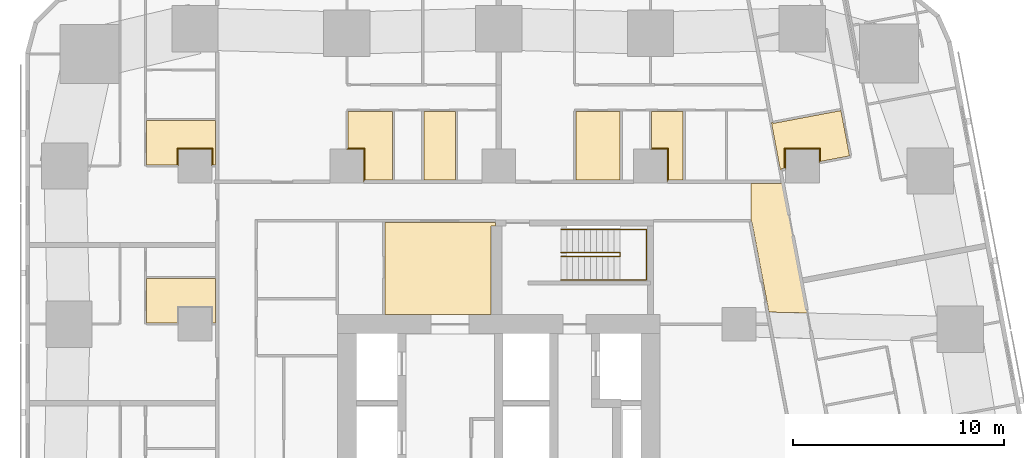
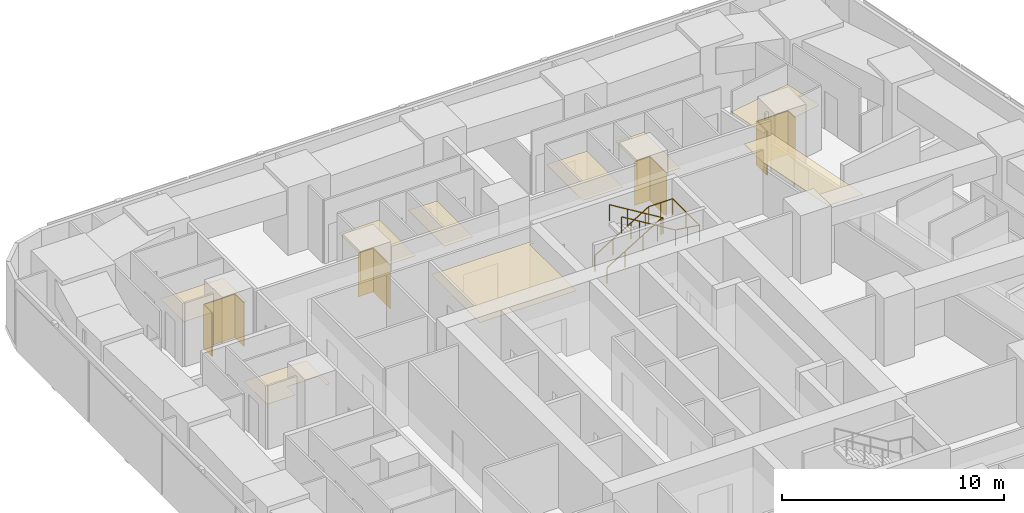
# One storey, part 15 of 15: 13 coverings, 2 railings.
"""IFC4 building model written with IfcOpenShell, lengths in metres."""

from ifc_helpers import new_model, si_unit, direction, frame, origin, origin_2d, place, context, subcontext, project, spatial, polyline, circle, outline, extrude, material, layer, layer_set, type_object, element, save


model = new_model("IFC4")

# Units and contexts
model_context = context("Model", 3, precision=1e-05, world=origin(), true_north=direction((0.0, 1.0)))
body_context = subcontext(model_context, "Body", "Model", "MODEL_VIEW")
ifc_project = project(units=[si_unit("LENGTHUNIT", "METRE"), si_unit("AREAUNIT", "SQUARE_METRE"), si_unit("VOLUMEUNIT", "CUBIC_METRE"), si_unit("PLANEANGLEUNIT", "RADIAN"), si_unit("MASSUNIT", "GRAM", prefix="KILO")], contexts=[model_context])

# Site, building, storey
site_placement = place(None, origin())
site = spatial("IfcSite", under=ifc_project, at=site_placement, CompositionType="ELEMENT")
building_placement = place(site_placement, origin())
building = spatial("IfcBuilding", under=site, at=building_placement, Name="Sheger Commons Tower", CompositionType="ELEMENT")
storey_placement = place(building_placement, frame((0.0, 0.0, 107.89990234375)))
storey = spatial("IfcBuildingStorey", under=building, at=storey_placement, Name="L27", CompositionType="ELEMENT", Elevation=107.89990234375)

# Railings
ifc_material_1 = material(Name="Steel handrail, black powder-coated", Category="steel")
railing_type = type_object("IfcRailingType", Name="HANDRAIL 900", PredefinedType="HANDRAIL", material=ifc_material_1)
railing_1_placement = place(storey_placement, frame((24.550048828125, 33.39990234375, 0.170654296875)))
element("IfcRailing", 1, at=railing_1_placement, inside=storey, type_object=railing_type, Name="Stair S2 handrail L27", PredefinedType="HANDRAIL", context=body_context, shape_type="SweptSolid", body=[
    extrude(circle(Radius=0.02392578125, at=origin_2d()), frame((0.0, 0.0, 0.8759765625), z_axis=(0.854202870247, 0.0, 0.519939858505), x_axis=(0.0, 1.0, 0.0)), (0.0, 0.0, 1.0), 3.278076171875),
    extrude(circle(Radius=0.02392578125, at=origin_2d()), frame((2.800048828125, 0.0, 2.580078125), z_axis=(0.0, -0.760631612298, 0.649183757016), x_axis=(1.0, 0.0, 0.0)), (0.0, 0.0, 1.0), 0.262939453125),
    extrude(circle(Radius=0.02392578125, at=origin_2d()), frame((2.800048828125, -0.199951171875, 2.7509765625), z_axis=(-0.854202870247, 0.0, 0.519939858505), x_axis=(0.0, -1.0, 0.0)), (0.0, 0.0, 1.0), 3.278076171875),
    extrude(circle(Radius=0.02099609375, at=origin_2d()), origin(), (0.0, 0.0, 1.0), 0.851806640625),
    extrude(circle(Radius=0.02099609375, at=origin_2d()), frame((0.933349609375, 0.0, 0.568115234375)), (0.0, 0.0, 1.0), 0.851806640625),
    extrude(circle(Radius=0.02099609375, at=origin_2d()), frame((1.86669921875, 0.0, 1.13623046875)), (0.0, 0.0, 1.0), 0.851806640625),
    extrude(circle(Radius=0.02099609375, at=origin_2d()), frame((2.800048828125, 0.0, 1.704345703125)), (0.0, 0.0, 1.0), 0.851806640625),
    extrude(circle(Radius=0.02099609375, at=origin_2d()), frame((2.800048828125, -0.199951171875, 1.875)), (0.0, 0.0, 1.0), 0.851806640625),
    extrude(circle(Radius=0.02099609375, at=origin_2d()), frame((1.86669921875, -0.199951171875, 2.443115234375)), (0.0, 0.0, 1.0), 0.851806640625),
    extrude(circle(Radius=0.02099609375, at=origin_2d()), frame((0.933349609375, -0.199951171875, 3.01123046875)), (0.0, 0.0, 1.0), 0.851806640625),
    extrude(circle(Radius=0.02099609375, at=origin_2d()), frame((0.0, -0.199951171875, 3.579345703125)), (0.0, 0.0, 1.0), 0.851806640625),
])
railing_2_placement = place(storey_placement, frame((24.550048828125, 34.5, 0.170654296875)))
element("IfcRailing", 2, at=railing_2_placement, inside=storey, type_object=railing_type, Name="Stair S2 handrail L27", PredefinedType="HANDRAIL", context=body_context, shape_type="SweptSolid", body=[
    extrude(circle(Radius=0.02392578125, at=origin_2d()), frame((0.0, 0.0, 0.8759765625), z_axis=(0.854202870247, 0.0, 0.519939858505), x_axis=(0.0, 1.0, 0.0)), (0.0, 0.0, 1.0), 3.278076171875),
    extrude(circle(Radius=0.02392578125, at=origin_2d()), frame((2.800048828125, 0.0, 2.580078125), z_axis=(1.0, 0.0, 0.0), x_axis=(0.0, 1.0, 0.0)), (0.0, 0.0, 1.0), 1.25),
    extrude(circle(Radius=0.02392578125, at=origin_2d()), frame((4.050048828125, 0.0, 2.580078125), z_axis=(0.0, -1.0, 0.0), x_axis=(1.0, 0.0, 0.0)), (0.0, 0.0, 1.0), 2.39990234375),
    extrude(circle(Radius=0.02392578125, at=origin_2d()), frame((4.050048828125, -2.39990234375, 2.580078125), z_axis=(-0.990808959222, 0.0, 0.135268645019), x_axis=(0.0, -1.0, 0.0)), (0.0, 0.0, 1.0), 1.261474609375),
    extrude(circle(Radius=0.02392578125, at=origin_2d()), frame((2.800048828125, -2.39990234375, 2.7509765625), z_axis=(-0.854202870247, 0.0, 0.519939858505), x_axis=(0.0, -1.0, 0.0)), (0.0, 0.0, 1.0), 3.278076171875),
    extrude(circle(Radius=0.02099609375, at=origin_2d()), origin(), (0.0, 0.0, 1.0), 0.851806640625),
    extrude(circle(Radius=0.02099609375, at=origin_2d()), frame((0.933349609375, 0.0, 0.568115234375)), (0.0, 0.0, 1.0), 0.851806640625),
    extrude(circle(Radius=0.02099609375, at=origin_2d()), frame((1.86669921875, 0.0, 1.13623046875)), (0.0, 0.0, 1.0), 0.851806640625),
    extrude(circle(Radius=0.02099609375, at=origin_2d()), frame((2.800048828125, 0.0, 1.704345703125)), (0.0, 0.0, 1.0), 0.851806640625),
    extrude(circle(Radius=0.02099609375, at=origin_2d()), frame((3.425048828125, 0.0, 1.704345703125)), (0.0, 0.0, 1.0), 0.851806640625),
    extrude(circle(Radius=0.02099609375, at=origin_2d()), frame((4.050048828125, 0.0, 1.704345703125)), (0.0, 0.0, 1.0), 0.851806640625),
    extrude(circle(Radius=0.02099609375, at=origin_2d()), frame((4.050048828125, -1.199951171875, 1.704345703125)), (0.0, 0.0, 1.0), 0.851806640625),
    extrude(circle(Radius=0.02099609375, at=origin_2d()), frame((4.050048828125, -2.39990234375, 1.704345703125)), (0.0, 0.0, 1.0), 0.851806640625),
    extrude(circle(Radius=0.02099609375, at=origin_2d()), frame((3.425048828125, -2.39990234375, 1.78955078125)), (0.0, 0.0, 1.0), 0.851806640625),
    extrude(circle(Radius=0.02099609375, at=origin_2d()), frame((2.800048828125, -2.39990234375, 1.875)), (0.0, 0.0, 1.0), 0.851806640625),
    extrude(circle(Radius=0.02099609375, at=origin_2d()), frame((1.86669921875, -2.39990234375, 2.443115234375)), (0.0, 0.0, 1.0), 0.851806640625),
    extrude(circle(Radius=0.02099609375, at=origin_2d()), frame((0.933349609375, -2.39990234375, 3.01123046875)), (0.0, 0.0, 1.0), 0.851806640625),
    extrude(circle(Radius=0.02099609375, at=origin_2d()), frame((0.0, -2.39990234375, 3.579345703125)), (0.0, 0.0, 1.0), 0.851806640625),
])

# Coverings
ifc_material_2 = material(Name="Moisture-resistant gypsum plasterboard 15 mm on a suspended galvanised steel grid", Category="steel")
ifc_layer_1 = layer(ifc_material_2, 0.014892578125)
ifc_layer_set_1 = layer_set([ifc_layer_1], Name="MOISTURE-RESISTANT CEILING 15")
covering_type_1 = type_object("IfcCoveringType", Name="MOISTURE-RESISTANT CEILING 15", PredefinedType="CEILING", material=ifc_layer_set_1)
covering_1_placement = place(storey_placement, frame((0.0, 0.0, 2.400146484375)))
element("IfcCovering", 3, at=covering_1_placement, inside=storey, type_object=covering_type_1, Name="L27-03.B1 ceiling", PredefinedType="CEILING", context=body_context, shape_type="SweptSolid", body=[
    extrude(outline(polyline([(4.905029296875, 30.054931640625), (6.39501953125, 30.054931640625), (6.39501953125, 30.804931640625), (8.0048828125, 30.804931640625), (8.0048828125, 30.054931640625), (8.169921875, 30.054931640625), (8.169921875, 32.155029296875), (4.905029296875, 32.155029296875), (4.905029296875, 30.054931640625)])), origin(), (0.0, 0.0, 1.0), 0.014892578125),
])
covering_2_placement = place(storey_placement, frame((0.0, 0.0, 2.400146484375)))
element("IfcCovering", 4, at=covering_2_placement, inside=storey, type_object=covering_type_1, Name="L27-04.B1 ceiling", PredefinedType="CEILING", context=body_context, shape_type="SweptSolid", body=[
    extrude(outline(polyline([(4.905029296875, 37.554931640625), (6.39501953125, 37.554931640625), (6.39501953125, 38.304931640625), (8.0048828125, 38.304931640625), (8.0048828125, 37.554931640625), (8.169921875, 37.554931640625), (8.169921875, 39.655029296875), (4.905029296875, 39.655029296875), (4.905029296875, 37.554931640625)])), origin(), (0.0, 0.0, 1.0), 0.014892578125),
])
covering_3_placement = place(storey_placement, frame((0.0, 0.0, 2.400146484375)))
element("IfcCovering", 5, at=covering_3_placement, inside=storey, type_object=covering_type_1, Name="L27-08.B1 ceiling", PredefinedType="CEILING", context=body_context, shape_type="SweptSolid", body=[
    extrude(outline(polyline([(34.9580078125, 37.302978515625), (35.027099609375, 37.31591796875), (35.01708984375, 37.3701171875), (35.18505859375, 37.402099609375), (35.193115234375, 37.35888671875), (35.195068359375, 37.35888671875), (35.195068359375, 38.304931640625), (36.804931640625, 38.304931640625), (36.804931640625, 37.7080078125), (38.23388671875, 37.97900390625), (37.827880859375, 40.126953125), (34.611083984375, 39.52001953125), (34.60107421875, 39.573974609375), (34.531982421875, 39.56103515625), (34.9580078125, 37.302978515625)])), origin(), (0.0, 0.0, 1.0), 0.014892578125),
])
covering_4_placement = place(storey_placement, frame((0.0, 0.0, 2.400146484375)))
element("IfcCovering", 6, at=covering_4_placement, inside=storey, type_object=covering_type_1, Name="L27-12.B1 ceiling", PredefinedType="CEILING", context=body_context, shape_type="SweptSolid", body=[
    extrude(outline(polyline([(15.205078125, 36.830078125), (16.554931640625, 36.830078125), (16.554931640625, 40.094970703125), (14.455078125, 40.094970703125), (14.455078125, 38.304931640625), (15.205078125, 38.304931640625), (15.205078125, 36.830078125)])), origin(), (0.0, 0.0, 1.0), 0.014892578125),
])
covering_5_placement = place(storey_placement, frame((0.0, 0.0, 2.400146484375)))
element("IfcCovering", 7, at=covering_5_placement, inside=storey, type_object=covering_type_1, Name="L27-12.B2 ceiling", PredefinedType="CEILING", context=body_context, shape_type="SweptSolid", body=[
    extrude(outline(polyline([(18.054931640625, 36.830078125), (19.544921875, 36.830078125), (19.544921875, 40.094970703125), (18.054931640625, 40.094970703125), (18.054931640625, 36.830078125)])), origin(), (0.0, 0.0, 1.0), 0.014892578125),
])
covering_6_placement = place(storey_placement, frame((0.0, 0.0, 2.400146484375)))
element("IfcCovering", 8, at=covering_6_placement, inside=storey, type_object=covering_type_1, Name="L27-13.B1 ceiling", PredefinedType="CEILING", context=body_context, shape_type="SweptSolid", body=[
    extrude(outline(polyline([(25.2548828125, 36.830078125), (27.35498046875, 36.830078125), (27.35498046875, 40.094970703125), (25.2548828125, 40.094970703125), (25.2548828125, 36.830078125)])), origin(), (0.0, 0.0, 1.0), 0.014892578125),
])
covering_7_placement = place(storey_placement, frame((0.0, 0.0, 2.400146484375)))
element("IfcCovering", 9, at=covering_7_placement, inside=storey, type_object=covering_type_1, Name="L27-13.B2 ceiling", PredefinedType="CEILING", context=body_context, shape_type="SweptSolid", body=[
    extrude(outline(polyline([(29.60498046875, 36.830078125), (30.344970703125, 36.830078125), (30.344970703125, 40.094970703125), (28.85498046875, 40.094970703125), (28.85498046875, 38.304931640625), (29.60498046875, 38.304931640625), (29.60498046875, 36.830078125)])), origin(), (0.0, 0.0, 1.0), 0.014892578125),
])
ifc_material_3 = material(Name="Gypsum plasterboard 15 mm on a suspended steel grid", Category="steel")
ifc_layer_2 = layer(ifc_material_3, 0.014892578125)
ifc_layer_set_2 = layer_set([ifc_layer_2], Name="SUSPENDED CEILING 15")
covering_type_2 = type_object("IfcCoveringType", Name="SUSPENDED CEILING 15", PredefinedType="CEILING", material=ifc_layer_set_2)
covering_8_placement = place(storey_placement, frame((0.0, 0.0, 2.7001953125)))
element("IfcCovering", 10, at=covering_8_placement, inside=storey, type_object=covering_type_2, Name="L27-CO ceiling", PredefinedType="CEILING", context=body_context, shape_type="SweptSolid", body=[
    extrude(outline(polyline([(36.237060546875, 30.531982421875), (35.06201171875, 36.75), (34.97802734375, 36.75), (34.97802734375, 36.669921875), (33.572998046875, 36.669921875), (33.572998046875, 34.947998046875), (33.571044921875, 34.947998046875), (33.589111328125, 34.85205078125), (33.60595703125, 34.85498046875), (34.4150390625, 30.572998046875), (36.237060546875, 30.531982421875)])), origin(), (0.0, 0.0, 1.0), 0.014892578125),
])
covering_9_placement = place(storey_placement, frame((0.0, 0.0, 2.7001953125)))
element("IfcCovering", 11, at=covering_9_placement, inside=storey, type_object=covering_type_2, Name="L27-SVN1 ceiling", PredefinedType="CEILING", context=body_context, shape_type="SweptSolid", body=[
    extrude(outline(polyline([(16.217041015625, 30.455078125), (21.2451171875, 30.455078125), (21.2451171875, 34.655029296875), (21.445068359375, 34.655029296875), (21.445068359375, 34.83203125), (16.217041015625, 34.83203125), (16.217041015625, 30.455078125)])), origin(), (0.0, 0.0, 1.0), 0.014892578125),
])
ifc_material_4 = material(Name="Moisture-resistant gypsum board 12.5 mm on 25 mm treated timber battens, tanked and tiled", Category="wood")
ifc_layer_3 = layer(ifc_material_4, 0.050048828125)
ifc_layer_set_3 = layer_set([ifc_layer_3], Name="WET-ROOM COLUMN LINING")
covering_type_3 = type_object("IfcCoveringType", Name="WET-ROOM COLUMN LINING", PredefinedType="CLADDING", material=ifc_layer_set_3)
covering_10_placement = place(storey_placement, origin())
element("IfcCovering", 12, at=covering_10_placement, inside=storey, type_object=covering_type_3, Name="Bathroom column lining C9 L27", PredefinedType="CLADDING", context=body_context, shape_type="SweptSolid", body=[
    extrude(outline(polyline([(8.050048828125, 38.35009765625), (8.050048828125, 37.550048828125), (8.0009765625, 37.550048828125), (8.0009765625, 37.5), (8.0, 37.5), (8.0, 38.300048828125), (6.39990234375, 38.300048828125), (6.39990234375, 37.5), (6.39892578125, 37.5), (6.39892578125, 37.550048828125), (6.35009765625, 37.550048828125), (6.35009765625, 38.35009765625), (8.050048828125, 38.35009765625)])), origin(), (0.0, 0.0, 1.0), 2.400146484375),
])
covering_11_placement = place(storey_placement, origin())
element("IfcCovering", 13, at=covering_11_placement, inside=storey, type_object=covering_type_3, Name="Bathroom column lining C9 L27", PredefinedType="CLADDING", context=body_context, shape_type="SweptSolid", body=[
    extrude(outline(polyline([(15.25, 36.824951171875), (15.200927734375, 36.824951171875), (15.200927734375, 36.75), (15.199951171875, 36.75), (15.199951171875, 38.300048828125), (14.39990234375, 38.300048828125), (14.39990234375, 38.301025390625), (14.449951171875, 38.301025390625), (14.449951171875, 38.35009765625), (15.25, 38.35009765625), (15.25, 36.824951171875)])), origin(), (0.0, 0.0, 1.0), 2.400146484375),
])
covering_12_placement = place(storey_placement, origin())
element("IfcCovering", 14, at=covering_12_placement, inside=storey, type_object=covering_type_3, Name="Shower room column lining C9 L27", PredefinedType="CLADDING", context=body_context, shape_type="SweptSolid", body=[
    extrude(outline(polyline([(29.64990234375, 36.824951171875), (29.60107421875, 36.824951171875), (29.60107421875, 36.75), (29.60009765625, 36.75), (29.60009765625, 38.300048828125), (28.800048828125, 38.300048828125), (28.800048828125, 38.301025390625), (28.85009765625, 38.301025390625), (28.85009765625, 38.35009765625), (29.64990234375, 38.35009765625), (29.64990234375, 36.824951171875)])), origin(), (0.0, 0.0, 1.0), 2.400146484375),
])
covering_13_placement = place(storey_placement, origin())
element("IfcCovering", 15, at=covering_13_placement, inside=storey, type_object=covering_type_3, Name="Bathroom column lining C9 L27", PredefinedType="CLADDING", context=body_context, shape_type="SweptSolid", body=[
    extrude(outline(polyline([(36.85009765625, 38.35009765625), (36.85009765625, 37.7109375), (36.801025390625, 37.701904296875), (36.81005859375, 37.653076171875), (36.800048828125, 37.65087890625), (36.800048828125, 38.300048828125), (35.199951171875, 38.300048828125), (35.199951171875, 37.34912109375), (35.18994140625, 37.346923828125), (35.180908203125, 37.39599609375), (35.14990234375, 37.389892578125), (35.14990234375, 38.35009765625), (36.85009765625, 38.35009765625)])), origin(), (0.0, 0.0, 1.0), 2.400146484375),
])

save(model, "model.ifc")
